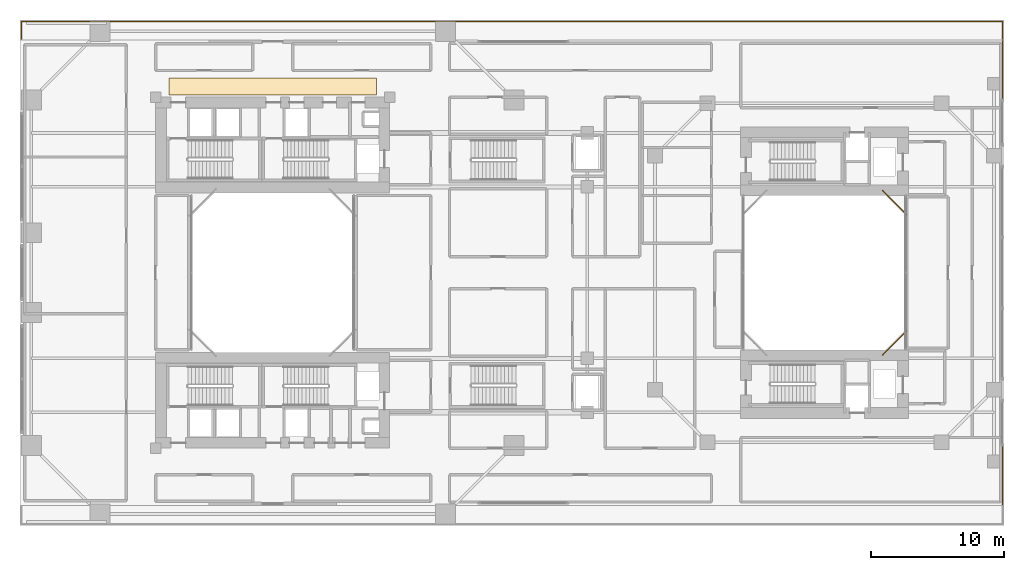
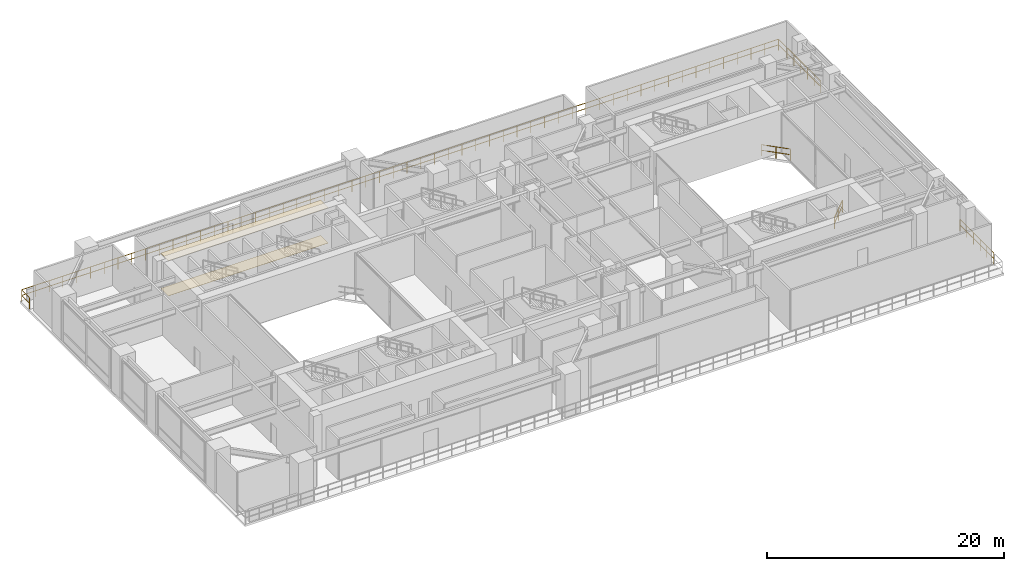
# One storey, part 20 of 20: 5 railings, 2 coverings.
"""IFC4 building model written with IfcOpenShell, lengths in metres."""

from ifc_helpers import new_model, si_unit, direction, frame, origin, origin_2d, place, context, subcontext, project, spatial, polyline, rectangle, outline, extrude, material, layer, layer_set, type_object, element, save


model = new_model("IFC4")

# Units and contexts
model_context = context("Model", 3, precision=1e-05, world=origin(), true_north=direction((0.0, 1.0)))
body_context = subcontext(model_context, "Body", "Model", "MODEL_VIEW")
ifc_project = project(units=[si_unit("LENGTHUNIT", "METRE"), si_unit("AREAUNIT", "SQUARE_METRE"), si_unit("VOLUMEUNIT", "CUBIC_METRE"), si_unit("PLANEANGLEUNIT", "RADIAN"), si_unit("MASSUNIT", "GRAM", prefix="KILO"), si_unit("THERMODYNAMICTEMPERATUREUNIT", "KELVIN"), si_unit("POWERUNIT", "WATT")], contexts=[model_context])

# Site, building, storey
site_placement = place(None, origin())
site = spatial("IfcSite", under=ifc_project, at=site_placement, CompositionType="ELEMENT")
building_placement = place(site_placement, origin())
building = spatial("IfcBuilding", under=site, at=building_placement, Name="Qiaomeng Ring Towers", CompositionType="ELEMENT")
storey_placement = place(building_placement, frame((0.0, 0.0, 13.800048828125)))
storey = spatial("IfcBuildingStorey", under=building, at=storey_placement, Name="L03", CompositionType="ELEMENT", Elevation=13.800048828125)

# Coverings
ifc_material_1 = material(Name="Moisture-resistant gypsum ceiling board", Category="gypsum")
ifc_layer_1 = layer(ifc_material_1, 0.030029296875, Name="Moisture-resistant gypsum ceiling board")
ifc_layer_set_1 = layer_set([ifc_layer_1], Name="Moisture-resistant gypsum ceiling board")
covering_type_1 = type_object("IfcCoveringType", Name="ARC-COV-CEIL2", PredefinedType="CEILING", material=ifc_layer_set_1)
covering_1_placement = place(storey_placement, frame((0.0, 0.0, 3.6298828125)))
element("IfcCovering", 1, at=covering_1_placement, inside=storey, type_object=covering_type_1, Name="L03 Corridor Acoustic Ceiling", PredefinedType="CEILING", context=body_context, shape_type="SweptSolid", body=[
    extrude(outline(polyline([(11.199951171875, 36.35009765625), (11.199951171875, 37.64990234375), (26.800048828125, 37.64990234375), (26.800048828125, 36.35009765625), (11.199951171875, 36.35009765625)])), origin(), (0.0, 0.0, 1.0), 0.025146484375),
])
ifc_material_2 = material(Name="Honed granite stone flooring", Category="masonry")
ifc_layer_2 = layer(ifc_material_2, 0.02392578125, Name="Honed granite stone flooring")
ifc_layer_set_2 = layer_set([ifc_layer_2], Name="Honed granite stone flooring")
covering_type_2 = type_object("IfcCoveringType", Name="ARC-COV-FLR2", PredefinedType="FLOORING", material=ifc_layer_set_2)
covering_2_placement = place(storey_placement, origin())
element("IfcCovering", 2, at=covering_2_placement, inside=storey, type_object=covering_type_2, Name="L03 Corridor Stone Flooring", PredefinedType="FLOORING", context=body_context, shape_type="SweptSolid", body=[
    extrude(outline(polyline([(11.199951171875, 36.35009765625), (11.199951171875, 37.64990234375), (26.800048828125, 37.64990234375), (26.800048828125, 36.35009765625), (11.199951171875, 36.35009765625)])), origin(), (0.0, 0.0, 1.0), 0.02001953125),
])

# Railings
ifc_material_3 = material(Name="Low-E pale-green laminated safety glass", Category="glass")
railing_type = type_object("IfcRailingType", Name="ARC-RL-BAL1", PredefinedType="BALUSTRADE", material=ifc_material_3)
railing_1_placement = place(storey_placement, frame((0.10009765625, 40.580078125, 0.0)))
element("IfcRailing", 3, at=railing_1_placement, inside=storey, type_object=railing_type, Name="L03 Balustrade ARC-BAL-L03-POD-N", PredefinedType="BALUSTRADE", context=body_context, shape_type="SweptSolid", body=[
    extrude(rectangle(XDim=0.048095703125, YDim=0.048095703125, at=origin_2d()), frame((0.0, 0.0, 1.17578125), z_axis=(0.0, 1.0, 0.0), x_axis=(-1.0, 0.0, 0.0)), (0.0, 0.0, 1.0), 1.31982421875),
    extrude(rectangle(XDim=0.048095703125, YDim=0.048095703125, at=origin_2d()), frame((0.0, 0.0, 0.60009765625), z_axis=(0.0, 1.0, 0.0), x_axis=(-1.0, 0.0, 0.0)), (0.0, 0.0, 1.0), 1.31982421875),
    extrude(rectangle(XDim=0.048095703125, YDim=0.048095703125, at=origin_2d()), frame((0.0, 1.31982421875, 1.17578125), z_axis=(1.0, 0.0, 0.0), x_axis=(0.0, 1.0, 0.0)), (0.0, 0.0, 1.0), 73.7998046875),
    extrude(rectangle(XDim=0.048095703125, YDim=0.048095703125, at=origin_2d()), frame((0.0, 1.31982421875, 0.60009765625), z_axis=(1.0, 0.0, 0.0), x_axis=(0.0, 1.0, 0.0)), (0.0, 0.0, 1.0), 73.7998046875),
    extrude(rectangle(XDim=0.048095703125, YDim=0.048095703125, at=origin_2d()), frame((73.7998046875, 1.31982421875, 1.17578125), z_axis=(0.0, -1.0, 0.0), x_axis=(1.0, 0.0, 0.0)), (0.0, 0.0, 1.0), 1.31982421875),
    extrude(rectangle(XDim=0.048095703125, YDim=0.048095703125, at=origin_2d()), frame((73.7998046875, 1.31982421875, 0.60009765625), z_axis=(0.0, -1.0, 0.0), x_axis=(1.0, 0.0, 0.0)), (0.0, 0.0, 1.0), 1.31982421875),
    extrude(rectangle(XDim=0.0419921875, YDim=0.0419921875, at=origin_2d()), origin(), (0.0, 0.0, 1.0), 1.15185546875),
    extrude(rectangle(XDim=0.0419921875, YDim=0.0419921875, at=origin_2d()), frame((0.0, 1.31982421875, 0.0)), (0.0, 0.0, 1.0), 1.15185546875),
    extrude(rectangle(XDim=0.0419921875, YDim=0.0419921875, at=origin_2d()), frame((1.341796875, 1.31982421875, 0.0)), (0.0, 0.0, 1.0), 1.15185546875),
    extrude(rectangle(XDim=0.0419921875, YDim=0.0419921875, at=origin_2d()), frame((2.68359375, 1.31982421875, 0.0)), (0.0, 0.0, 1.0), 1.15185546875),
    extrude(rectangle(XDim=0.0419921875, YDim=0.0419921875, at=origin_2d()), frame((4.025390625, 1.31982421875, 0.0)), (0.0, 0.0, 1.0), 1.15185546875),
    extrude(rectangle(XDim=0.0419921875, YDim=0.0419921875, at=origin_2d()), frame((5.3671875, 1.31982421875, 0.0)), (0.0, 0.0, 1.0), 1.15185546875),
    extrude(rectangle(XDim=0.0419921875, YDim=0.0419921875, at=origin_2d()), frame((6.708984375, 1.31982421875, 0.0)), (0.0, 0.0, 1.0), 1.15185546875),
    extrude(rectangle(XDim=0.0419921875, YDim=0.0419921875, at=origin_2d()), frame((8.05078125, 1.31982421875, 0.0)), (0.0, 0.0, 1.0), 1.15185546875),
    extrude(rectangle(XDim=0.0419921875, YDim=0.0419921875, at=origin_2d()), frame((9.392822265625, 1.31982421875, 0.0)), (0.0, 0.0, 1.0), 1.15185546875),
    extrude(rectangle(XDim=0.0419921875, YDim=0.0419921875, at=origin_2d()), frame((10.734619140625, 1.31982421875, 0.0)), (0.0, 0.0, 1.0), 1.15185546875),
    extrude(rectangle(XDim=0.0419921875, YDim=0.0419921875, at=origin_2d()), frame((12.076416015625, 1.31982421875, 0.0)), (0.0, 0.0, 1.0), 1.15185546875),
    extrude(rectangle(XDim=0.0419921875, YDim=0.0419921875, at=origin_2d()), frame((13.418212890625, 1.31982421875, 0.0)), (0.0, 0.0, 1.0), 1.15185546875),
    extrude(rectangle(XDim=0.0419921875, YDim=0.0419921875, at=origin_2d()), frame((14.760009765625, 1.31982421875, 0.0)), (0.0, 0.0, 1.0), 1.15185546875),
    extrude(rectangle(XDim=0.0419921875, YDim=0.0419921875, at=origin_2d()), frame((16.101806640625, 1.31982421875, 0.0)), (0.0, 0.0, 1.0), 1.15185546875),
    extrude(rectangle(XDim=0.0419921875, YDim=0.0419921875, at=origin_2d()), frame((17.443603515625, 1.31982421875, 0.0)), (0.0, 0.0, 1.0), 1.15185546875),
    extrude(rectangle(XDim=0.0419921875, YDim=0.0419921875, at=origin_2d()), frame((18.785400390625, 1.31982421875, 0.0)), (0.0, 0.0, 1.0), 1.15185546875),
    extrude(rectangle(XDim=0.0419921875, YDim=0.0419921875, at=origin_2d()), frame((20.127197265625, 1.31982421875, 0.0)), (0.0, 0.0, 1.0), 1.15185546875),
    extrude(rectangle(XDim=0.0419921875, YDim=0.0419921875, at=origin_2d()), frame((21.468994140625, 1.31982421875, 0.0)), (0.0, 0.0, 1.0), 1.15185546875),
    extrude(rectangle(XDim=0.0419921875, YDim=0.0419921875, at=origin_2d()), frame((22.810791015625, 1.31982421875, 0.0)), (0.0, 0.0, 1.0), 1.15185546875),
    extrude(rectangle(XDim=0.0419921875, YDim=0.0419921875, at=origin_2d()), frame((24.152587890625, 1.31982421875, 0.0)), (0.0, 0.0, 1.0), 1.15185546875),
    extrude(rectangle(XDim=0.0419921875, YDim=0.0419921875, at=origin_2d()), frame((25.494384765625, 1.31982421875, 0.0)), (0.0, 0.0, 1.0), 1.15185546875),
    extrude(rectangle(XDim=0.0419921875, YDim=0.0419921875, at=origin_2d()), frame((26.836181640625, 1.31982421875, 0.0)), (0.0, 0.0, 1.0), 1.15185546875),
    extrude(rectangle(XDim=0.0419921875, YDim=0.0419921875, at=origin_2d()), frame((28.17822265625, 1.31982421875, 0.0)), (0.0, 0.0, 1.0), 1.15185546875),
    extrude(rectangle(XDim=0.0419921875, YDim=0.0419921875, at=origin_2d()), frame((29.52001953125, 1.31982421875, 0.0)), (0.0, 0.0, 1.0), 1.15185546875),
    extrude(rectangle(XDim=0.0419921875, YDim=0.0419921875, at=origin_2d()), frame((30.86181640625, 1.31982421875, 0.0)), (0.0, 0.0, 1.0), 1.15185546875),
    extrude(rectangle(XDim=0.0419921875, YDim=0.0419921875, at=origin_2d()), frame((32.20361328125, 1.31982421875, 0.0)), (0.0, 0.0, 1.0), 1.15185546875),
    extrude(rectangle(XDim=0.0419921875, YDim=0.0419921875, at=origin_2d()), frame((33.54541015625, 1.31982421875, 0.0)), (0.0, 0.0, 1.0), 1.15185546875),
    extrude(rectangle(XDim=0.0419921875, YDim=0.0419921875, at=origin_2d()), frame((34.88720703125, 1.31982421875, 0.0)), (0.0, 0.0, 1.0), 1.15185546875),
    extrude(rectangle(XDim=0.0419921875, YDim=0.0419921875, at=origin_2d()), frame((36.22900390625, 1.31982421875, 0.0)), (0.0, 0.0, 1.0), 1.15185546875),
    extrude(rectangle(XDim=0.0419921875, YDim=0.0419921875, at=origin_2d()), frame((37.57080078125, 1.31982421875, 0.0)), (0.0, 0.0, 1.0), 1.15185546875),
    extrude(rectangle(XDim=0.0419921875, YDim=0.0419921875, at=origin_2d()), frame((38.91259765625, 1.31982421875, 0.0)), (0.0, 0.0, 1.0), 1.15185546875),
    extrude(rectangle(XDim=0.0419921875, YDim=0.0419921875, at=origin_2d()), frame((40.25439453125, 1.31982421875, 0.0)), (0.0, 0.0, 1.0), 1.15185546875),
    extrude(rectangle(XDim=0.0419921875, YDim=0.0419921875, at=origin_2d()), frame((41.59619140625, 1.31982421875, 0.0)), (0.0, 0.0, 1.0), 1.15185546875),
    extrude(rectangle(XDim=0.0419921875, YDim=0.0419921875, at=origin_2d()), frame((42.93798828125, 1.31982421875, 0.0)), (0.0, 0.0, 1.0), 1.15185546875),
    extrude(rectangle(XDim=0.0419921875, YDim=0.0419921875, at=origin_2d()), frame((44.27978515625, 1.31982421875, 0.0)), (0.0, 0.0, 1.0), 1.15185546875),
    extrude(rectangle(XDim=0.0419921875, YDim=0.0419921875, at=origin_2d()), frame((45.62158203125, 1.31982421875, 0.0)), (0.0, 0.0, 1.0), 1.15185546875),
    extrude(rectangle(XDim=0.0419921875, YDim=0.0419921875, at=origin_2d()), frame((46.963623046875, 1.31982421875, 0.0)), (0.0, 0.0, 1.0), 1.15185546875),
    extrude(rectangle(XDim=0.0419921875, YDim=0.0419921875, at=origin_2d()), frame((48.305419921875, 1.31982421875, 0.0)), (0.0, 0.0, 1.0), 1.15185546875),
    extrude(rectangle(XDim=0.0419921875, YDim=0.0419921875, at=origin_2d()), frame((49.647216796875, 1.31982421875, 0.0)), (0.0, 0.0, 1.0), 1.15185546875),
    extrude(rectangle(XDim=0.0419921875, YDim=0.0419921875, at=origin_2d()), frame((50.989013671875, 1.31982421875, 0.0)), (0.0, 0.0, 1.0), 1.15185546875),
    extrude(rectangle(XDim=0.0419921875, YDim=0.0419921875, at=origin_2d()), frame((52.330810546875, 1.31982421875, 0.0)), (0.0, 0.0, 1.0), 1.15185546875),
    extrude(rectangle(XDim=0.0419921875, YDim=0.0419921875, at=origin_2d()), frame((53.672607421875, 1.31982421875, 0.0)), (0.0, 0.0, 1.0), 1.15185546875),
    extrude(rectangle(XDim=0.0419921875, YDim=0.0419921875, at=origin_2d()), frame((55.014404296875, 1.31982421875, 0.0)), (0.0, 0.0, 1.0), 1.15185546875),
    extrude(rectangle(XDim=0.0419921875, YDim=0.0419921875, at=origin_2d()), frame((56.356201171875, 1.31982421875, 0.0)), (0.0, 0.0, 1.0), 1.15185546875),
    extrude(rectangle(XDim=0.0419921875, YDim=0.0419921875, at=origin_2d()), frame((57.697998046875, 1.31982421875, 0.0)), (0.0, 0.0, 1.0), 1.15185546875),
    extrude(rectangle(XDim=0.0419921875, YDim=0.0419921875, at=origin_2d()), frame((59.039794921875, 1.31982421875, 0.0)), (0.0, 0.0, 1.0), 1.15185546875),
    extrude(rectangle(XDim=0.0419921875, YDim=0.0419921875, at=origin_2d()), frame((60.381591796875, 1.31982421875, 0.0)), (0.0, 0.0, 1.0), 1.15185546875),
    extrude(rectangle(XDim=0.0419921875, YDim=0.0419921875, at=origin_2d()), frame((61.723388671875, 1.31982421875, 0.0)), (0.0, 0.0, 1.0), 1.15185546875),
    extrude(rectangle(XDim=0.0419921875, YDim=0.0419921875, at=origin_2d()), frame((63.065185546875, 1.31982421875, 0.0)), (0.0, 0.0, 1.0), 1.15185546875),
    extrude(rectangle(XDim=0.0419921875, YDim=0.0419921875, at=origin_2d()), frame((64.406982421875, 1.31982421875, 0.0)), (0.0, 0.0, 1.0), 1.15185546875),
    extrude(rectangle(XDim=0.0419921875, YDim=0.0419921875, at=origin_2d()), frame((65.7490234375, 1.31982421875, 0.0)), (0.0, 0.0, 1.0), 1.15185546875),
    extrude(rectangle(XDim=0.0419921875, YDim=0.0419921875, at=origin_2d()), frame((67.0908203125, 1.31982421875, 0.0)), (0.0, 0.0, 1.0), 1.15185546875),
    extrude(rectangle(XDim=0.0419921875, YDim=0.0419921875, at=origin_2d()), frame((68.4326171875, 1.31982421875, 0.0)), (0.0, 0.0, 1.0), 1.15185546875),
    extrude(rectangle(XDim=0.0419921875, YDim=0.0419921875, at=origin_2d()), frame((69.7744140625, 1.31982421875, 0.0)), (0.0, 0.0, 1.0), 1.15185546875),
    extrude(rectangle(XDim=0.0419921875, YDim=0.0419921875, at=origin_2d()), frame((71.1162109375, 1.31982421875, 0.0)), (0.0, 0.0, 1.0), 1.15185546875),
    extrude(rectangle(XDim=0.0419921875, YDim=0.0419921875, at=origin_2d()), frame((72.4580078125, 1.31982421875, 0.0)), (0.0, 0.0, 1.0), 1.15185546875),
    extrude(rectangle(XDim=0.0419921875, YDim=0.0419921875, at=origin_2d()), frame((73.7998046875, 1.31982421875, 0.0)), (0.0, 0.0, 1.0), 1.15185546875),
    extrude(rectangle(XDim=0.0419921875, YDim=0.0419921875, at=origin_2d()), frame((73.7998046875, 0.0, 0.0)), (0.0, 0.0, 1.0), 1.15185546875),
])
for number, where, name in (
    (4, (73.89990234375, 5.580078125, 0.0), "L03 Balustrade ARC-BAL-L03-POD-ES"),
    (5, (73.89990234375, 34.75, 0.0), "L03 Balustrade ARC-BAL-L03-POD-EN"),
):
    element("IfcRailing", number, at=place(storey_placement, frame(where)), inside=storey, type_object=railing_type, Name=name, PredefinedType="BALUSTRADE", context=body_context, shape_type="SweptSolid", body=[
        extrude(rectangle(XDim=0.048095703125, YDim=0.048095703125, at=origin_2d()), frame((0.0, 0.0, 1.17578125), z_axis=(0.0, 1.0, 0.0), x_axis=(-1.0, 0.0, 0.0)), (0.0, 0.0, 1.0), 5.669921875),
        extrude(rectangle(XDim=0.048095703125, YDim=0.048095703125, at=origin_2d()), frame((0.0, 0.0, 0.60009765625), z_axis=(0.0, 1.0, 0.0), x_axis=(-1.0, 0.0, 0.0)), (0.0, 0.0, 1.0), 5.669921875),
        extrude(rectangle(XDim=0.0419921875, YDim=0.0419921875, at=origin_2d()), origin(), (0.0, 0.0, 1.0), 1.15185546875),
        extrude(rectangle(XDim=0.0419921875, YDim=0.0419921875, at=origin_2d()), frame((0.0, 1.134033203125, 0.0)), (0.0, 0.0, 1.0), 1.15185546875),
        extrude(rectangle(XDim=0.0419921875, YDim=0.0419921875, at=origin_2d()), frame((0.0, 2.26806640625, 0.0)), (0.0, 0.0, 1.0), 1.15185546875),
        extrude(rectangle(XDim=0.0419921875, YDim=0.0419921875, at=origin_2d()), frame((0.0, 3.40185546875, 0.0)), (0.0, 0.0, 1.0), 1.15185546875),
        extrude(rectangle(XDim=0.0419921875, YDim=0.0419921875, at=origin_2d()), frame((0.0, 4.535888671875, 0.0)), (0.0, 0.0, 1.0), 1.15185546875),
        extrude(rectangle(XDim=0.0419921875, YDim=0.0419921875, at=origin_2d()), frame((0.0, 5.669921875, 0.0)), (0.0, 0.0, 1.0), 1.15185546875),
    ])
railing_2_placement = place(storey_placement, frame((64.8798828125, 16.820068359375, 0.0)))
element("IfcRailing", 6, at=railing_2_placement, inside=storey, type_object=railing_type, Name="L03 Balustrade ARC-BAL-WELL2-L03-1", PredefinedType="BALUSTRADE", context=body_context, shape_type="SweptSolid", body=[
    extrude(rectangle(XDim=0.048095703125, YDim=0.048095703125, at=origin_2d()), frame((0.0, 0.0, 1.17578125), z_axis=(0.707106781187, 0.707106781187, 0.0), x_axis=(-0.707106781187, 0.707106781187, 0.0)), (0.0, 0.0, 1.0), 2.545654296875),
    extrude(rectangle(XDim=0.048095703125, YDim=0.048095703125, at=origin_2d()), frame((0.0, 0.0, 0.60009765625), z_axis=(0.707106781187, 0.707106781187, 0.0), x_axis=(-0.707106781187, 0.707106781187, 0.0)), (0.0, 0.0, 1.0), 2.545654296875),
    extrude(rectangle(XDim=0.0419921875, YDim=0.0419921875, at=origin_2d()), origin(), (0.0, 0.0, 1.0), 1.15185546875),
    extrude(rectangle(XDim=0.0419921875, YDim=0.0419921875, at=origin_2d()), frame((0.89990234375, 0.89990234375, 0.0)), (0.0, 0.0, 1.0), 1.15185546875),
    extrude(rectangle(XDim=0.0419921875, YDim=0.0419921875, at=origin_2d()), frame((1.800048828125, 1.800048828125, 0.0)), (0.0, 0.0, 1.0), 1.15185546875),
])
railing_3_placement = place(storey_placement, frame((66.679931640625, 27.3798828125, 0.0)))
element("IfcRailing", 7, at=railing_3_placement, inside=storey, type_object=railing_type, Name="L03 Balustrade ARC-BAL-WELL2-L03-2", PredefinedType="BALUSTRADE", context=body_context, shape_type="SweptSolid", body=[
    extrude(rectangle(XDim=0.048095703125, YDim=0.048095703125, at=origin_2d()), frame((0.0, 0.0, 1.17578125), z_axis=(-0.707106781187, 0.707106781187, 0.0), x_axis=(-0.707106781187, -0.707106781187, 0.0)), (0.0, 0.0, 1.0), 2.545654296875),
    extrude(rectangle(XDim=0.048095703125, YDim=0.048095703125, at=origin_2d()), frame((0.0, 0.0, 0.60009765625), z_axis=(-0.707106781187, 0.707106781187, 0.0), x_axis=(-0.707106781187, -0.707106781187, 0.0)), (0.0, 0.0, 1.0), 2.545654296875),
    extrude(rectangle(XDim=0.0419921875, YDim=0.0419921875, at=origin_2d()), origin(), (0.0, 0.0, 1.0), 1.15185546875),
    extrude(rectangle(XDim=0.0419921875, YDim=0.0419921875, at=origin_2d()), frame((-0.89990234375, 0.89990234375, 0.0)), (0.0, 0.0, 1.0), 1.15185546875),
    extrude(rectangle(XDim=0.0419921875, YDim=0.0419921875, at=origin_2d()), frame((-1.800048828125, 1.800048828125, 0.0)), (0.0, 0.0, 1.0), 1.15185546875),
])

save(model, "model.ifc")
